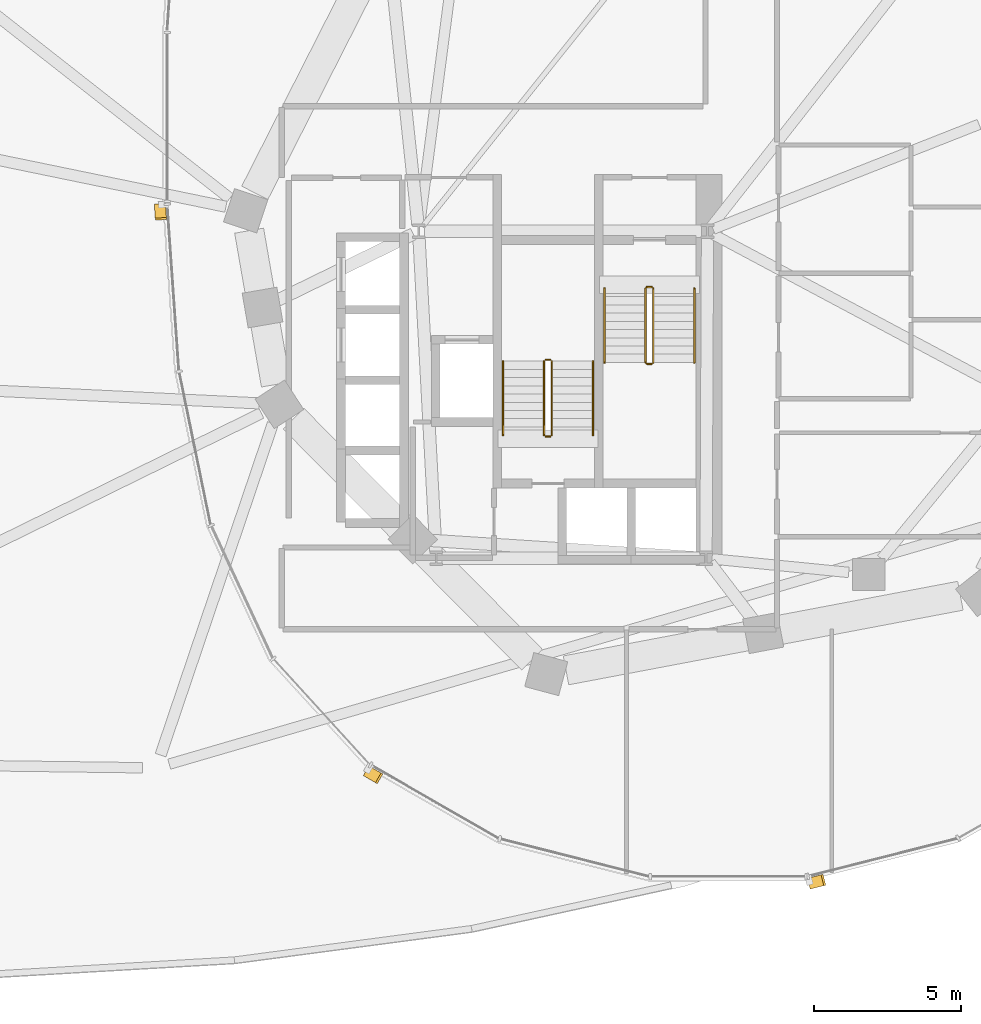
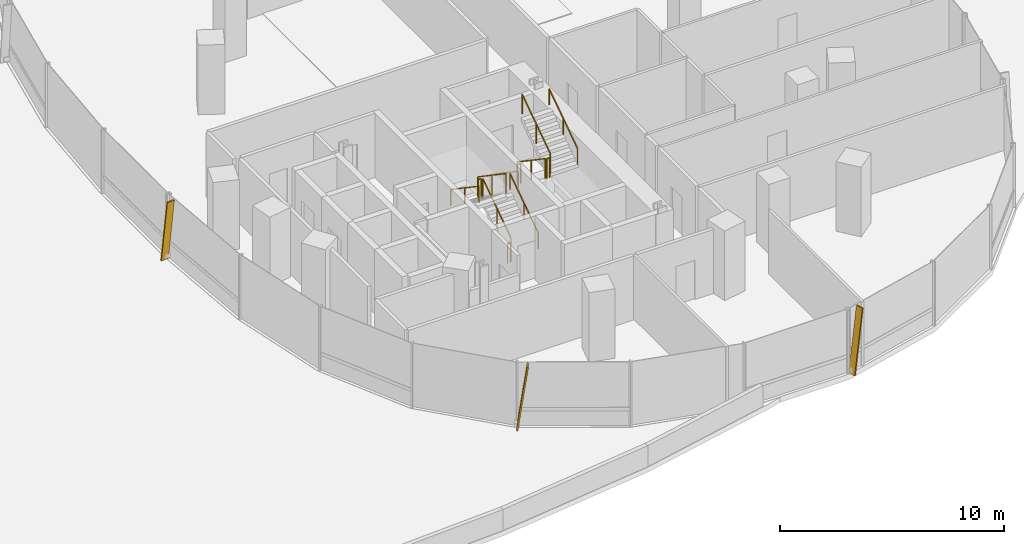
# One storey, part 27 of 28: 12 railings, 3 shading devices.
"""IFC4 building model written with IfcOpenShell, lengths in metres."""

from ifc_helpers import new_model, si_unit, direction, frame, origin, origin_2d, place, context, subcontext, project, spatial, rectangle, extrude, material, material_profile, profile_set, type_object, element, save


model = new_model("IFC4")

# Units and contexts
model_context = context("Model", 3, precision=1e-05, world=origin(), true_north=direction((0.0, 1.0)))
body_context = subcontext(model_context, "Body", "Model", "MODEL_VIEW")
ifc_project = project(units=[si_unit("LENGTHUNIT", "METRE"), si_unit("AREAUNIT", "SQUARE_METRE"), si_unit("VOLUMEUNIT", "CUBIC_METRE"), si_unit("PLANEANGLEUNIT", "RADIAN"), si_unit("MASSUNIT", "GRAM", prefix="KILO"), si_unit("THERMODYNAMICTEMPERATUREUNIT", "KELVIN"), si_unit("POWERUNIT", "WATT")], contexts=[model_context])

# Site, building, storey
site_placement = place(None, origin())
site = spatial("IfcSite", under=ifc_project, at=site_placement, CompositionType="ELEMENT")
building_placement = place(site_placement, origin())
building = spatial("IfcBuilding", under=site, at=building_placement, Name="Cundina Bronze Exchange", CompositionType="ELEMENT")
storey_placement = place(building_placement, frame((0.0, 0.0, 24.0)))
storey = spatial("IfcBuildingStorey", under=building, at=storey_placement, Name="L05", CompositionType="ELEMENT", Elevation=24.0)

# Railings
ifc_material_1 = material(Name="Steel ASTM A36 Painted", Category="steel")
railing_type_1 = type_object("IfcRailingType", Name="RLG-HND-900", PredefinedType="HANDRAIL", material=ifc_material_1)
railing_1_placement = place(storey_placement, frame((27.7900390625, -5.85009765625, 0.18994140625)))
element("IfcRailing", 1, at=railing_1_placement, inside=storey, type_object=railing_type_1, Name="L05 ST-E1 stair handrail 1", PredefinedType="HANDRAIL", context=body_context, shape_type="SweptSolid", body=[
    extrude(rectangle(XDim=0.048095703125, YDim=0.048095703125, at=origin_2d()), frame((0.0, 0.0, 0.8759765625), z_axis=(0.0, -0.827483756001, 0.561489655786), x_axis=(1.0, 0.0, 0.0)), (0.0, 0.0, 1.0), 3.04541015625),
    extrude(rectangle(XDim=0.0419921875, YDim=0.0419921875, at=origin_2d()), origin(), (0.0, 0.0, 1.0), 0.851806640625),
    extrude(rectangle(XDim=0.0419921875, YDim=0.0419921875, at=origin_2d()), frame((0.0, -1.260009765625, 0.85498046875)), (0.0, 0.0, 1.0), 0.851806640625),
    extrude(rectangle(XDim=0.0419921875, YDim=0.0419921875, at=origin_2d()), frame((0.0, -2.52001953125, 1.7099609375)), (0.0, 0.0, 1.0), 0.851806640625),
])
for number, where, name in (
    (2, (30.85009765625, -8.3701171875, 2.090087890625), "L05 ST-E1 stair handrail 2"),
    (3, (27.389892578125, -10.85009765625, 0.18994140625), "L05 ST-E2 stair handrail 1"),
):
    element("IfcRailing", number, at=place(storey_placement, frame(where)), inside=storey, type_object=railing_type_1, Name=name, PredefinedType="HANDRAIL", context=body_context, shape_type="SweptSolid", body=[
        extrude(rectangle(XDim=0.048095703125, YDim=0.048095703125, at=origin_2d()), frame((0.0, 0.0, 0.8759765625), z_axis=(0.0, 0.827483756001, 0.561489655786), x_axis=(-1.0, 0.0, 0.0)), (0.0, 0.0, 1.0), 3.04541015625),
        extrude(rectangle(XDim=0.0419921875, YDim=0.0419921875, at=origin_2d()), origin(), (0.0, 0.0, 1.0), 0.851806640625),
        extrude(rectangle(XDim=0.0419921875, YDim=0.0419921875, at=origin_2d()), frame((0.0, 1.260009765625, 0.85498046875)), (0.0, 0.0, 1.0), 0.851806640625),
        extrude(rectangle(XDim=0.0419921875, YDim=0.0419921875, at=origin_2d()), frame((0.0, 2.52001953125, 1.7099609375)), (0.0, 0.0, 1.0), 0.851806640625),
    ])
railing_2_placement = place(storey_placement, frame((24.330078125, -8.330078125, 2.090087890625)))
element("IfcRailing", 4, at=railing_2_placement, inside=storey, type_object=railing_type_1, Name="L05 ST-E2 stair handrail 2", PredefinedType="HANDRAIL", context=body_context, shape_type="SweptSolid", body=[
    extrude(rectangle(XDim=0.048095703125, YDim=0.048095703125, at=origin_2d()), frame((0.0, 0.0, 0.8759765625), z_axis=(0.0, -0.827483756001, 0.561489655786), x_axis=(1.0, 0.0, 0.0)), (0.0, 0.0, 1.0), 3.04541015625),
    extrude(rectangle(XDim=0.0419921875, YDim=0.0419921875, at=origin_2d()), origin(), (0.0, 0.0, 1.0), 0.851806640625),
    extrude(rectangle(XDim=0.0419921875, YDim=0.0419921875, at=origin_2d()), frame((0.0, -1.260009765625, 0.85498046875)), (0.0, 0.0, 1.0), 0.851806640625),
    extrude(rectangle(XDim=0.0419921875, YDim=0.0419921875, at=origin_2d()), frame((0.0, -2.52001953125, 1.7099609375)), (0.0, 0.0, 1.0), 0.851806640625),
])
railing_type_2 = type_object("IfcRailingType", Name="RLG-STG-1100", PredefinedType="GUARDRAIL", material=ifc_material_1)
railing_3_placement = place(storey_placement, frame((29.18994140625, -5.85009765625, 0.18994140625)))
element("IfcRailing", 5, at=railing_3_placement, inside=storey, type_object=railing_type_2, Name="L05 ST-E1 stair guard 1", PredefinedType="GUARDRAIL", context=body_context, shape_type="SweptSolid", body=[
    extrude(rectangle(XDim=0.048095703125, YDim=0.048095703125, at=origin_2d()), frame((0.0, 0.0, 1.076171875), z_axis=(0.0, -0.827483756001, 0.561489655786), x_axis=(1.0, 0.0, 0.0)), (0.0, 0.0, 1.0), 3.04541015625),
    extrude(rectangle(XDim=0.0419921875, YDim=0.0419921875, at=origin_2d()), origin(), (0.0, 0.0, 1.0), 1.052001953125),
    extrude(rectangle(XDim=0.0419921875, YDim=0.0419921875, at=origin_2d()), frame((0.0, -1.260009765625, 0.85498046875)), (0.0, 0.0, 1.0), 1.052001953125),
    extrude(rectangle(XDim=0.0419921875, YDim=0.0419921875, at=origin_2d()), frame((0.0, -2.52001953125, 1.7099609375)), (0.0, 0.0, 1.0), 1.052001953125),
])
railing_4_placement = place(storey_placement, frame((29.239990234375, -8.419921875, 1.89990234375)))
element("IfcRailing", 6, at=railing_4_placement, inside=storey, type_object=railing_type_2, Name="L05 ST-E1 stair guard 2", PredefinedType="GUARDRAIL", context=body_context, shape_type="SweptSolid", body=[
    extrude(rectangle(XDim=0.048095703125, YDim=0.048095703125, at=origin_2d()), frame((0.0, 0.0, 1.076171875), z_axis=(1.0, 0.0, 0.0), x_axis=(0.0, 1.0, 0.0)), (0.0, 0.0, 1.0), 0.159912109375),
    extrude(rectangle(XDim=0.0419921875, YDim=0.0419921875, at=origin_2d()), origin(), (0.0, 0.0, 1.0), 1.052001953125),
    extrude(rectangle(XDim=0.0419921875, YDim=0.0419921875, at=origin_2d()), frame((0.159912109375, 0.0, 0.0)), (0.0, 0.0, 1.0), 1.052001953125),
])
railing_5_placement = place(storey_placement, frame((29.449951171875, -8.3701171875, 2.090087890625)))
element("IfcRailing", 7, at=railing_5_placement, inside=storey, type_object=railing_type_2, Name="L05 ST-E1 stair guard 3", PredefinedType="GUARDRAIL", context=body_context, shape_type="SweptSolid", body=[
    extrude(rectangle(XDim=0.048095703125, YDim=0.048095703125, at=origin_2d()), frame((0.0, 0.0, 1.076171875), z_axis=(0.0, 0.827483756001, 0.561489655786), x_axis=(-1.0, 0.0, 0.0)), (0.0, 0.0, 1.0), 3.04541015625),
    extrude(rectangle(XDim=0.0419921875, YDim=0.0419921875, at=origin_2d()), origin(), (0.0, 0.0, 1.0), 1.052001953125),
    extrude(rectangle(XDim=0.0419921875, YDim=0.0419921875, at=origin_2d()), frame((0.0, 1.260009765625, 0.85498046875)), (0.0, 0.0, 1.0), 1.052001953125),
    extrude(rectangle(XDim=0.0419921875, YDim=0.0419921875, at=origin_2d()), frame((0.0, 2.52001953125, 1.7099609375)), (0.0, 0.0, 1.0), 1.052001953125),
])
railing_6_placement = place(storey_placement, frame((29.239990234375, -5.800048828125, 0.0)))
element("IfcRailing", 8, at=railing_6_placement, inside=storey, type_object=railing_type_2, Name="L05 ST-E1 stair guard 4", PredefinedType="GUARDRAIL", context=body_context, shape_type="SweptSolid", body=[
    extrude(rectangle(XDim=0.048095703125, YDim=0.048095703125, at=origin_2d()), frame((0.0, 0.0, 1.076171875), z_axis=(1.0, 0.0, 0.0), x_axis=(0.0, 1.0, 0.0)), (0.0, 0.0, 1.0), 0.159912109375),
    extrude(rectangle(XDim=0.0419921875, YDim=0.0419921875, at=origin_2d()), origin(), (0.0, 0.0, 1.0), 1.052001953125),
    extrude(rectangle(XDim=0.0419921875, YDim=0.0419921875, at=origin_2d()), frame((0.159912109375, 0.0, 0.0)), (0.0, 0.0, 1.0), 1.052001953125),
])
railing_7_placement = place(storey_placement, frame((25.989990234375, -10.85009765625, 0.18994140625)))
element("IfcRailing", 9, at=railing_7_placement, inside=storey, type_object=railing_type_2, Name="L05 ST-E2 stair guard 1", PredefinedType="GUARDRAIL", context=body_context, shape_type="SweptSolid", body=[
    extrude(rectangle(XDim=0.048095703125, YDim=0.048095703125, at=origin_2d()), frame((0.0, 0.0, 1.076171875), z_axis=(0.0, 0.827483756001, 0.561489655786), x_axis=(-1.0, 0.0, 0.0)), (0.0, 0.0, 1.0), 3.04541015625),
    extrude(rectangle(XDim=0.0419921875, YDim=0.0419921875, at=origin_2d()), origin(), (0.0, 0.0, 1.0), 1.052001953125),
    extrude(rectangle(XDim=0.0419921875, YDim=0.0419921875, at=origin_2d()), frame((0.0, 1.260009765625, 0.85498046875)), (0.0, 0.0, 1.0), 1.052001953125),
    extrude(rectangle(XDim=0.0419921875, YDim=0.0419921875, at=origin_2d()), frame((0.0, 2.52001953125, 1.7099609375)), (0.0, 0.0, 1.0), 1.052001953125),
])
railing_8_placement = place(storey_placement, frame((25.93994140625, -8.280029296875, 1.89990234375)))
element("IfcRailing", 10, at=railing_8_placement, inside=storey, type_object=railing_type_2, Name="L05 ST-E2 stair guard 2", PredefinedType="GUARDRAIL", context=body_context, shape_type="SweptSolid", body=[
    extrude(rectangle(XDim=0.048095703125, YDim=0.048095703125, at=origin_2d()), frame((0.0, 0.0, 1.076171875), z_axis=(-1.0, 0.0, 0.0), x_axis=(0.0, -1.0, 0.0)), (0.0, 0.0, 1.0), 0.159912109375),
    extrude(rectangle(XDim=0.0419921875, YDim=0.0419921875, at=origin_2d()), origin(), (0.0, 0.0, 1.0), 1.052001953125),
    extrude(rectangle(XDim=0.0419921875, YDim=0.0419921875, at=origin_2d()), frame((-0.159912109375, 0.0, 0.0)), (0.0, 0.0, 1.0), 1.052001953125),
])
railing_9_placement = place(storey_placement, frame((25.72998046875, -8.330078125, 2.090087890625)))
element("IfcRailing", 11, at=railing_9_placement, inside=storey, type_object=railing_type_2, Name="L05 ST-E2 stair guard 3", PredefinedType="GUARDRAIL", context=body_context, shape_type="SweptSolid", body=[
    extrude(rectangle(XDim=0.048095703125, YDim=0.048095703125, at=origin_2d()), frame((0.0, 0.0, 1.076171875), z_axis=(0.0, -0.827483756001, 0.561489655786), x_axis=(1.0, 0.0, 0.0)), (0.0, 0.0, 1.0), 3.04541015625),
    extrude(rectangle(XDim=0.0419921875, YDim=0.0419921875, at=origin_2d()), origin(), (0.0, 0.0, 1.0), 1.052001953125),
    extrude(rectangle(XDim=0.0419921875, YDim=0.0419921875, at=origin_2d()), frame((0.0, -1.260009765625, 0.85498046875)), (0.0, 0.0, 1.0), 1.052001953125),
    extrude(rectangle(XDim=0.0419921875, YDim=0.0419921875, at=origin_2d()), frame((0.0, -2.52001953125, 1.7099609375)), (0.0, 0.0, 1.0), 1.052001953125),
])
railing_10_placement = place(storey_placement, frame((25.93994140625, -10.89990234375, 0.0)))
element("IfcRailing", 12, at=railing_10_placement, inside=storey, type_object=railing_type_2, Name="L05 ST-E2 stair guard 4", PredefinedType="GUARDRAIL", context=body_context, shape_type="SweptSolid", body=[
    extrude(rectangle(XDim=0.048095703125, YDim=0.048095703125, at=origin_2d()), frame((0.0, 0.0, 1.076171875), z_axis=(-1.0, 0.0, 0.0), x_axis=(0.0, -1.0, 0.0)), (0.0, 0.0, 1.0), 0.159912109375),
    extrude(rectangle(XDim=0.0419921875, YDim=0.0419921875, at=origin_2d()), origin(), (0.0, 0.0, 1.0), 1.052001953125),
    extrude(rectangle(XDim=0.0419921875, YDim=0.0419921875, at=origin_2d()), frame((-0.159912109375, 0.0, 0.0)), (0.0, 0.0, 1.0), 1.052001953125),
])

# Shading devices
ifc_material_2 = material(Name="Anodised Bronze Aluminium 6063-T6", Category="aluminium")
ifc_material_profile = material_profile(ifc_material_2, rectangle(XDim=0.070068359375, YDim=0.3798828125, at=origin_2d()), Name="FIN70X380", Category="aluminium")
ifc_profile_set = profile_set([ifc_material_profile], Name="Anodised Bronze Aluminium 6063-T6")
shading_device_type = type_object("IfcShadingDeviceType", Name="SHD-FIN-BRZ380", PredefinedType="USERDEFINED", material=ifc_profile_set)
for number, where, z_axis, x_axis, name in (
    (13, (12.6259765625, -2.993896484375, 0.02001953125), (0.009645159174, -0.137059109714, 0.990515911709), (-0.06953288269, 0.988072340253, 0.137398066402), "L05 Diagonal Bronze Solar Fin 1"),
    (14, (19.685791015625, -22.314208984375, 0.02001953125), (0.119166378275, -0.06842456559, 0.990513731915), (-0.85898178632, 0.493221799887, 0.137413779831), "L05 Diagonal Bronze Solar Fin 5"),
    (15, (34.787353515625, -26.138427734375, 0.02001953125), (0.133214830938, 0.033688115694, 0.990514472221), (-0.960284642503, -0.242842181368, 0.137408443412), "L05 Diagonal Bronze Solar Fin 1"),
):
    element("IfcShadingDevice", number, at=place(storey_placement, frame(where, z_axis=z_axis, x_axis=x_axis)), inside=storey, type_object=shading_device_type, Name=name, ObjectType="FIN", PredefinedType="USERDEFINED", context=body_context, shape_type="SweptSolid", body=[
        extrude(rectangle(XDim=0.070068359375, YDim=0.3798828125, at=origin_2d()), origin(), (0.0, 0.0, 1.0), 3.4931640625),
    ])

save(model, "model.ifc")
